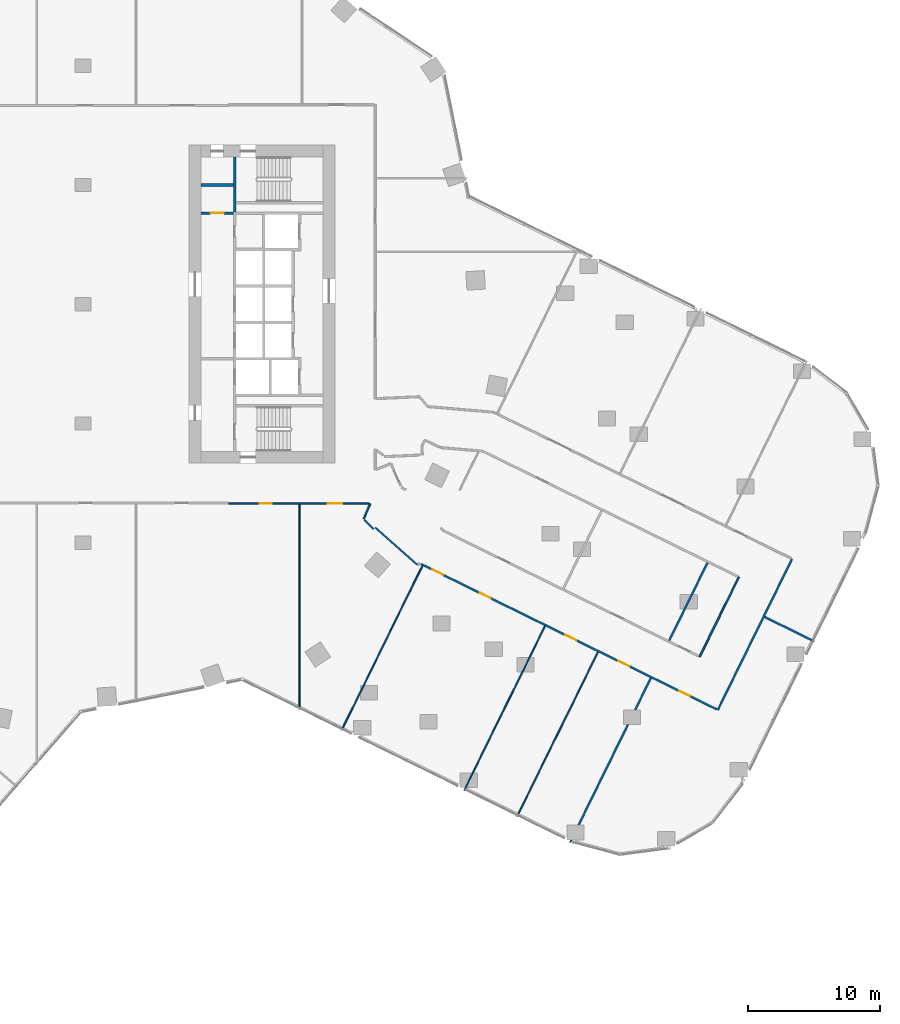
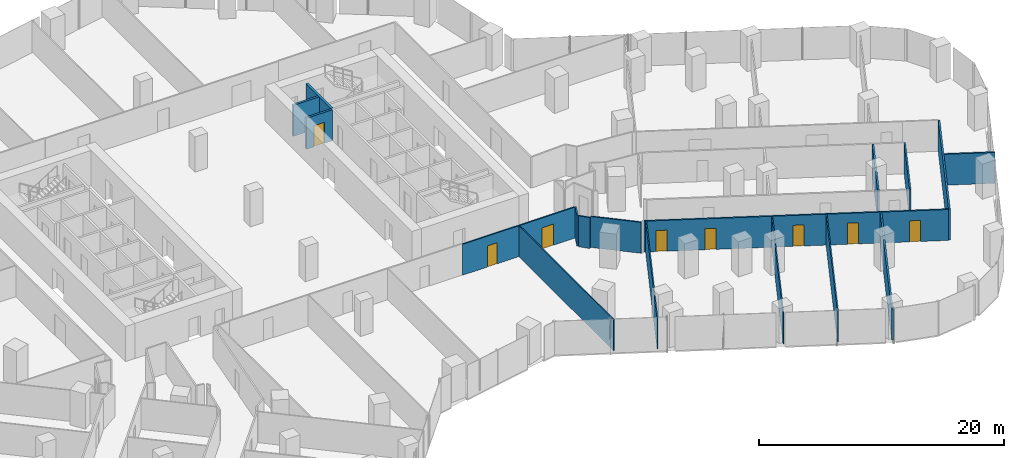
# One storey, part 29 of 38: 17 walls, 8 doors, 8 openings.
"""IFC4 building model written with IfcOpenShell, lengths in metres."""

import ifcopenshell
import ifcopenshell.guid

model = None  # the IFC model being written
_history = None  # IfcOwnerHistory: only IFC2X3 demands one
_inside = {}  # id of a spatial element -> (the spatial element, [elements in it])
_under = {}  # id of a project, library or spatial element -> (it, [spatial elements below it])
_declared = {}  # id of a project -> (the project, [libraries it declares])
_typed = {}  # id of a type object -> (the type object, [elements of that type])
_made_of = {}  # id of a material, layer set ... -> (it, [elements and type objects made of it])


def new_model(schema):
    """Start an empty IFC model of exactly this schema.

    Asked for "IFC4X3", IfcOpenShell would pick the latest addendum, in which some entities
    have other attributes; the version numbers below select the first issue.
    IFC2X3 requires an IfcOwnerHistory on every rooted entity: one is made here for all.
    """
    global model, _history
    if schema == "IFC4X3":
        model = ifcopenshell.file(schema_version=(4, 3, 0, 0))
    else:
        model = ifcopenshell.file(schema=schema)
    _inside.clear()
    _under.clear()
    _declared.clear()
    _typed.clear()
    _made_of.clear()
    _history = None
    if model.schema == "IFC2X3":
        org = make("IfcOrganization", Name="unknown")
        user = make(
            "IfcPersonAndOrganization",
            ThePerson=make("IfcPerson", FamilyName="unknown"),
            TheOrganization=org,
        )
        app = make(
            "IfcApplication",
            ApplicationDeveloper=org,
            Version="unknown",
            ApplicationFullName="unknown",
            ApplicationIdentifier="unknown",
        )
        _history = make(
            "IfcOwnerHistory",
            OwningUser=user,
            OwningApplication=app,
            ChangeAction="ADDED",
            CreationDate=0,
        )
    return model


def make(cls, **values):
    """One entity of the class cls with the attributes given. An attribute that is None is left unset."""
    return model.create_entity(
        cls, **{name: value for name, value in values.items() if value is not None}
    )


def rooted(cls, **values):
    """An entity with a GlobalId (a new one), such as an element, a storey or a relation."""
    return make(cls, GlobalId=ifcopenshell.guid.new(), OwnerHistory=_history, **values)


def si_unit(unit_type, name, prefix=None):
    """IfcSIUnit, for example si_unit("LENGTHUNIT", "METRE", prefix="MILLI")."""
    return make("IfcSIUnit", UnitType=unit_type, Prefix=prefix, Name=name)


def assignment(units):
    """IfcUnitAssignment: the units of a project."""
    return None if units is None else make("IfcUnitAssignment", Units=units)


def point(xyz):
    """IfcCartesianPoint."""
    return None if xyz is None else make("IfcCartesianPoint", Coordinates=xyz)


def direction(xyz):
    """IfcDirection."""
    return None if xyz is None else make("IfcDirection", DirectionRatios=xyz)


def frame(location, z_axis=None, x_axis=None):
    """IfcAxis2Placement3D, a coordinate frame: its origin and axes. An axis left out is left unset."""
    return make(
        "IfcAxis2Placement3D",
        Location=point(location),
        Axis=direction(z_axis),
        RefDirection=direction(x_axis),
    )


def frame_2d(location, x_axis=None):
    """IfcAxis2Placement2D, a coordinate frame in the plane: its origin and x axis."""
    return make(
        "IfcAxis2Placement2D", Location=point(location), RefDirection=direction(x_axis)
    )


def origin():
    """The frame at (0, 0, 0) with its axes left unset."""
    return frame((0.0, 0.0, 0.0))


def place(relative_to, where):
    """IfcLocalPlacement: puts the frame where relative to a parent placement (None: the world)."""
    return make(
        "IfcLocalPlacement", PlacementRelTo=relative_to, RelativePlacement=where
    )


def context(
    kind, dimensions, precision=None, world=None, true_north=None, identifier=None
):
    """IfcGeometricRepresentationContext, for example the 3D "Model" context."""
    return make(
        "IfcGeometricRepresentationContext",
        ContextIdentifier=identifier,
        ContextType=kind,
        CoordinateSpaceDimension=dimensions,
        Precision=precision,
        WorldCoordinateSystem=world,
        TrueNorth=true_north,
    )


def subcontext(parent, identifier, kind, view, scale=None):
    """IfcGeometricRepresentationSubContext, for example "Body" below "Model"."""
    return make(
        "IfcGeometricRepresentationSubContext",
        ContextIdentifier=identifier,
        ContextType=kind,
        ParentContext=parent,
        TargetScale=scale,
        TargetView=view,
    )


def project(units=None, contexts=None):
    """IfcProject with its units and contexts."""
    return rooted(
        "IfcProject",
        Name="project",
        RepresentationContexts=contexts,
        UnitsInContext=assignment(units),
    )


def spatial(cls, under=None, at=None, **own):
    """A site, building, storey or space (cls), placed at a placement, below another one or the project."""
    s = rooted(cls, ObjectPlacement=at, **own)
    if under is not None:
        _under.setdefault(under.id(), (under, []))[1].append(s)
    return s


def profile(cls, at=None, kind="AREA", **sizes):
    """A parametric profile (cls). Its sizes go by their IFC names, for example OverallWidth=200.0."""
    return make(cls, ProfileType=kind, Position=at, **sizes)


def rectangle(**sizes):
    """IfcRectangleProfileDef."""
    return profile("IfcRectangleProfileDef", **sizes)


def extrude(swept, where, along, depth):
    """IfcExtrudedAreaSolid: the profile swept, set in the frame where, extruded along a direction by depth."""
    return make(
        "IfcExtrudedAreaSolid",
        SweptArea=swept,
        Position=where,
        ExtrudedDirection=direction(along),
        Depth=depth,
    )


def shape(context_of_items, identifier, shape_type, items):
    """IfcShapeRepresentation: the items that make up one representation, for example the "Body"."""
    return make(
        "IfcShapeRepresentation",
        ContextOfItems=context_of_items,
        RepresentationIdentifier=identifier,
        RepresentationType=shape_type,
        Items=items,
    )


def material(Name=None, Category=None):
    """IfcMaterial."""
    return make("IfcMaterial", Name=Name, Category=Category)


def layer(
    of_material, thickness, ventilated=None, Name=None, Category=None, Priority=None
):
    """IfcMaterialLayer: one layer of a wall or slab, of a material (None: an air gap)."""
    return make(
        "IfcMaterialLayer",
        Material=of_material,
        LayerThickness=thickness,
        IsVentilated=ventilated,
        Name=Name,
        Category=Category,
        Priority=Priority,
    )


def layer_set(layers, Name=None):
    """IfcMaterialLayerSet."""
    return make("IfcMaterialLayerSet", MaterialLayers=layers, LayerSetName=Name)


def made_of(thing, what):
    """Note that an element or type object is made of a material, layer set ...; save() writes the relation."""
    if what is not None:
        _made_of.setdefault(what.id(), (what, []))[1].append(thing)
    return thing


def type_object(cls, material=None, **own):
    """A type object (cls), such as IfcWallType, which elements share."""
    return made_of(rooted(cls, **own), material)


def element(
    cls,
    number,
    at=None,
    inside=None,
    cuts=None,
    type_object=None,
    material=None,
    context=None,
    identifier="Body",
    shape_type=None,
    held_by="IfcProductDefinitionShape",
    body=None,
    shapes=None,
    **own,
):
    """One element of the class cls, such as IfcWall. Its Tag is "e" and its number.

    at: its placement. inside: the storey or other place that contains it. cuts: it is an
    opening in that element (IfcRelVoidsElement). A single representation is given by context,
    identifier, shape_type and body (its items); several are given by shapes. held_by: the class
    of the entity that holds the representations. save() writes the other relations.
    """
    e = rooted(cls, Tag="e%d" % number, ObjectPlacement=at, **own)
    if body is not None:
        shapes = [shape(context, identifier, shape_type, body)]
    if shapes is not None:
        e.Representation = make(held_by, Representations=shapes)
    if inside is not None:
        _inside.setdefault(inside.id(), (inside, []))[1].append(e)
    if cuts is not None:
        rooted(
            "IfcRelVoidsElement", RelatingBuildingElement=cuts, RelatedOpeningElement=e
        )
    if type_object is not None:
        _typed.setdefault(type_object.id(), (type_object, []))[1].append(e)
    return made_of(e, material)


def fill(opening, filler):
    """IfcRelFillsElement: the door or window that sits in an opening."""
    return rooted(
        "IfcRelFillsElement",
        RelatingOpeningElement=opening,
        RelatedBuildingElement=filler,
    )


def aggregate(whole, parts):
    """IfcRelAggregates: a whole, such as a stair, and the parts it consists of."""
    return rooted("IfcRelAggregates", RelatingObject=whole, RelatedObjects=parts)


def save(model, path):
    """Write the relations noted so far, then the file.

    IfcRelAggregates (storeys below a building ...), IfcRelContainedInSpatialStructure (elements
    in a storey), IfcRelDefinesByType, IfcRelAssociatesMaterial and IfcRelDeclares: one each for
    every whole, place, type object, material and project.
    """
    for whole, parts in _under.values():
        aggregate(whole, parts)
    for where, things in _inside.values():
        rooted(
            "IfcRelContainedInSpatialStructure",
            RelatedElements=things,
            RelatingStructure=where,
        )
    for kind, things in _typed.values():
        rooted("IfcRelDefinesByType", RelatedObjects=things, RelatingType=kind)
    for what, things in _made_of.values():
        rooted("IfcRelAssociatesMaterial", RelatedObjects=things, RelatingMaterial=what)
    for by, libraries in _declared.values():
        rooted("IfcRelDeclares", RelatingContext=by, RelatedDefinitions=libraries)
    model.write(path)


model = new_model("IFC4")

# Units and contexts
model_context = context("Model", 3, precision=1e-05, world=origin(), true_north=direction((0.0, 1.0)))
body_context = subcontext(model_context, "Body", "Model", "MODEL_VIEW")
ifc_project = project(units=[si_unit("LENGTHUNIT", "METRE"), si_unit("AREAUNIT", "SQUARE_METRE"), si_unit("VOLUMEUNIT", "CUBIC_METRE"), si_unit("PLANEANGLEUNIT", "RADIAN"), si_unit("MASSUNIT", "GRAM", prefix="KILO")], contexts=[model_context])

# Site, building, storey
site_placement = place(None, origin())
site = spatial("IfcSite", under=ifc_project, at=site_placement, CompositionType="ELEMENT")
building_placement = place(site_placement, origin())
building = spatial("IfcBuilding", under=site, at=building_placement, Name="Orlundy Tower", CompositionType="ELEMENT")
storey_placement = place(building_placement, frame((0.0, 0.0, 65.800048828125)))
storey = spatial("IfcBuildingStorey", under=building, at=storey_placement, Name="L15", CompositionType="ELEMENT", Elevation=65.800048828125)

# Walls
ifc_material_1 = material(Name="Gypsum board partition")
ifc_layer_1 = layer(ifc_material_1, 0.10009765625)
ifc_layer_set_1 = layer_set([ifc_layer_1], Name="Floor partition 100")
wall_type_1 = type_object("IfcWallType", Name="Floor partition 100", PredefinedType="PARTITIONING", material=ifc_layer_set_1)
for number, where, z_axis, x_axis, name in (
    (1, (32.760009765625, -38.657958984375, 0.0), (0.0, 0.0, 1.0), (0.440979010965, 0.897517415925, 0.0), "wall-int-L15-070"),
    (2, (28.76611328125, -36.695068359375, 0.0), (0.0, 0.0, 1.0), (0.440979010965, 0.897517415925, 0.0), "wall-int-L15-071"),
):
    element("IfcWall", number, at=place(storey_placement, frame(where, z_axis=z_axis, x_axis=x_axis)), inside=storey, type_object=wall_type_1, Name=name, PredefinedType="PARTITIONING", context=body_context, shape_type="SweptSolid", body=[
        extrude(rectangle(XDim=13.82373046875, YDim=0.10009765625, at=frame_2d((6.911865234375, 0.0))), origin(), (0.0, 0.0, 1.0), 3.079833984375),
    ])
wall_1_placement = place(storey_placement, frame((19.51611328125, -32.15087890625, 0.0), z_axis=(0.0, 0.0, 1.0), x_axis=(0.44089414512, 0.897559108248, 0.0)))
element("IfcWall", 3, at=wall_1_placement, inside=storey, type_object=wall_type_1, Name="wall-int-L15-074", PredefinedType="PARTITIONING", context=body_context, shape_type="SweptSolid", body=[
    extrude(rectangle(XDim=13.82421875, YDim=0.10009765625, at=frame_2d((6.912109375, 0.0))), origin(), (0.0, 0.0, 1.0), 3.079833984375),
])
wall_2_placement = place(storey_placement, frame((16.3310546875, -30.5859375, 0.0), z_axis=(0.0, 0.0, 1.0), x_axis=(0.0, 1.0, 0.0)))
element("IfcWall", 4, at=wall_2_placement, inside=storey, type_object=wall_type_1, Name="wall-int-L15-089", PredefinedType="PARTITIONING", context=body_context, shape_type="SweptSolid", body=[
    extrude(rectangle(XDim=15.471923828125, YDim=0.10009765625, at=frame_2d((7.73583984375, 0.0))), origin(), (0.0, 0.0, 1.0), 3.079833984375),
])
ifc_material_2 = material(Name="Gypsum board partition, double layer")
ifc_layer_2 = layer(ifc_material_2, 0.125)
ifc_layer_set_2 = layer_set([ifc_layer_2], Name="Floor partition 125")
wall_type_2 = type_object("IfcWallType", Name="Floor partition 125", PredefinedType="PARTITIONING", material=ifc_layer_set_2)
wall_3_placement = place(storey_placement, frame((21.243896484375, -16.282958984375, 0.0), z_axis=(0.0, 0.0, 1.0), x_axis=(0.697348059019, -0.716732645121, 0.0)))
element("IfcWall", 5, at=wall_3_placement, inside=storey, type_object=wall_type_2, Name="wall-int-L15-006", PredefinedType="PARTITIONING", context=body_context, shape_type="SweptSolid", body=[
    extrude(rectangle(XDim=0.982421875, YDim=0.125, at=frame_2d((0.4912109375, 0.0))), origin(), (0.0, 0.0, 1.0), 3.079833984375),
])
wall_4_placement = place(storey_placement, frame((22.048095703125, -16.85400390625, 0.0), z_axis=(0.0, 0.0, 1.0), x_axis=(0.748412780797, -0.663233224092, 0.0)))
element("IfcWall", 6, at=wall_4_placement, inside=storey, type_object=wall_type_2, Name="wall-int-L15-007", PredefinedType="PARTITIONING", context=body_context, shape_type="SweptSolid", body=[
    extrude(rectangle(XDim=4.224853515625, YDim=0.125, at=frame_2d((2.1123046875, 0.0))), origin(), (0.0, 0.0, 1.0), 3.079833984375),
])

# Wall, openings, doors
wall_5_placement = place(storey_placement, frame((21.575927734375, -15.051025390625, 0.0), z_axis=(0.0, 0.0, 1.0), x_axis=(-1.0, 0.0, 0.0)))
wall_5 = element("IfcWall", 7, at=wall_5_placement, inside=storey, type_object=wall_type_2, Name="wall-int-L15-043", PredefinedType="PARTITIONING", context=body_context, shape_type="SweptSolid", body=[
    extrude(rectangle(XDim=10.5849609375, YDim=0.125, at=frame_2d((5.29248046875, 0.0))), origin(), (0.0, 0.0, 1.0), 3.079833984375),
])
opening_1_placement = place(wall_5_placement, frame((7.3447265625, 0.0, 0.0)))
opening_1 = element("IfcOpeningElement", 8, at=opening_1_placement, cuts=wall_5, Name="Opening 13130", PredefinedType="OPENING", context=body_context, shape_type="SweptSolid", body=[
    extrude(rectangle(XDim=0.89990234375, YDim=2.10009765625, at=frame_2d((0.449951171875, 1.050048828125))), frame((0.0, 0.072509765625, 0.0), z_axis=(0.0, -1.0, 0.0), x_axis=(1.0, 0.0, 0.0)), (0.0, 0.0, 1.0), 0.14501953125),
])
opening_2_placement = place(wall_5_placement, frame((2.005859375, 0.0, 0.0)))
opening_2 = element("IfcOpeningElement", 9, at=opening_2_placement, cuts=wall_5, Name="Opening 13131", PredefinedType="OPENING", context=body_context, shape_type="SweptSolid", body=[
    extrude(rectangle(XDim=1.10009765625, YDim=2.10009765625, at=frame_2d((0.550048828125, 1.050048828125))), frame((0.0, 0.072509765625, 0.0), z_axis=(0.0, -1.0, 0.0), x_axis=(1.0, 0.0, 0.0)), (0.0, 0.0, 1.0), 0.14501953125),
])
ifc_material_3 = material(Name="Timber door leaf", Category="wood")
door_type_1 = type_object("IfcDoorType", Name="Floor door single 900 FD30S", OperationType="NOTDEFINED", PredefinedType="DOOR", material=ifc_material_3)
door_1_placement = place(opening_1_placement, origin())
door_1 = element("IfcDoor", 10, at=door_1_placement, inside=storey, type_object=door_type_1, Name="Door 13130", OperationType="SINGLE_SWING_RIGHT", OverallHeight=2.10009765625, OverallWidth=0.89990234375, PredefinedType="DOOR", context=body_context, shape_type="SweptSolid", body=[
    extrude(rectangle(XDim=0.89990234375, YDim=2.10009765625, at=frame_2d((0.449951171875, 1.050048828125))), frame((0.0, 0.02490234375, 0.0), z_axis=(0.0, -1.0, 0.0), x_axis=(1.0, 0.0, 0.0)), (0.0, 0.0, 1.0), 0.050048828125),
])
fill(opening_1, door_1)
ifc_material_4 = material(Name="Timber door leaf", Category="wood")
door_type_2 = type_object("IfcDoorType", Name="Floor door xwide 1100 FD30S", OperationType="NOTDEFINED", PredefinedType="DOOR", material=ifc_material_4)
door_2_placement = place(opening_2_placement, origin())
door_2 = element("IfcDoor", 11, at=door_2_placement, inside=storey, type_object=door_type_2, Name="Door 13131", OperationType="SINGLE_SWING_LEFT", OverallHeight=2.10009765625, OverallWidth=1.10009765625, PredefinedType="DOOR", context=body_context, shape_type="SweptSolid", body=[
    extrude(rectangle(XDim=1.10009765625, YDim=2.10009765625, at=frame_2d((0.550048828125, 1.050048828125))), frame((0.0, 0.02490234375, 0.0), z_axis=(0.0, -1.0, 0.0), x_axis=(1.0, 0.0, 0.0)), (0.0, 0.0, 1.0), 0.050048828125),
])
fill(opening_2, door_2)

# Walls
wall_6_placement = place(storey_placement, frame((46.5390625, -26.59912109375, 0.0), z_axis=(0.0, 0.0, 1.0), x_axis=(0.441022842823, 0.897495878603, 0.0)))
element("IfcWall", 12, at=wall_6_placement, inside=storey, type_object=wall_type_2, Name="wall-int-L15-066", PredefinedType="PARTITIONING", context=body_context, shape_type="SweptSolid", body=[
    extrude(rectangle(XDim=6.699951171875, YDim=0.125, at=frame_2d((3.35009765625, 0.0))), origin(), (0.0, 0.0, 1.0), 3.079833984375),
])
wall_7_placement = place(storey_placement, frame((21.18505859375, -16.2060546875, 0.0), z_axis=(0.0, 0.0, 1.0), x_axis=(0.388601478259, 0.921405931767, 0.0)))
element("IfcWall", 13, at=wall_7_placement, inside=storey, type_object=wall_type_2, Name="wall-int-L15-079", PredefinedType="PARTITIONING", context=body_context, shape_type="SweptSolid", body=[
    extrude(rectangle(XDim=1.24267578125, YDim=0.125, at=frame_2d((0.621337890625, 0.0))), origin(), (0.0, 0.0, 1.0), 3.079833984375),
])

# Wall, openings, doors
ifc_material_5 = material(Name="Blockwork shaft wall", Category="masonry")
ifc_layer_3 = layer(ifc_material_5, 0.14990234375)
ifc_layer_set_3 = layer_set([ifc_layer_3], Name="Floor shaft wall 150")
wall_type_3 = type_object("IfcWallType", Name="Floor shaft wall 150", PredefinedType="PARTITIONING", material=ifc_layer_set_3)
wall_8_placement = place(storey_placement, frame((47.840087890625, -30.5830078125, 0.0), z_axis=(0.0, 0.0, 1.0), x_axis=(-0.897499432015, 0.441015611439, 0.0)))
wall_8 = element("IfcWall", 14, at=wall_8_placement, inside=storey, type_object=wall_type_3, Name="wall-int-L15-024", PredefinedType="PARTITIONING", context=body_context, shape_type="SweptSolid", body=[
    extrude(rectangle(XDim=24.890380859375, YDim=0.14990234375, at=frame_2d((12.4453125, 0.0))), origin(), (0.0, 0.0, 1.0), 3.079833984375),
])
opening_3_placement = place(wall_8_placement, frame((2.2744140625, 0.0, 0.0)))
opening_3 = element("IfcOpeningElement", 15, at=opening_3_placement, cuts=wall_8, Name="Opening 13107", PredefinedType="OPENING", context=body_context, shape_type="SweptSolid", body=[
    extrude(rectangle(XDim=0.89990234375, YDim=2.10009765625, at=frame_2d((0.449951171875, 1.050048828125))), frame((0.0, 0.0849609375, 0.0), z_axis=(0.0, -1.0, 0.0), x_axis=(1.0, 0.0, 0.0)), (0.0, 0.0, 1.0), 0.169921875),
])
opening_4_placement = place(wall_8_placement, frame((23.024169921875, 0.0, 0.0)))
opening_4 = element("IfcOpeningElement", 16, at=opening_4_placement, cuts=wall_8, Name="Opening 13108", PredefinedType="OPENING", context=body_context, shape_type="SweptSolid", body=[
    extrude(rectangle(XDim=0.89990234375, YDim=2.10009765625, at=frame_2d((0.449951171875, 1.050048828125))), frame((0.0, 0.0849609375, 0.0), z_axis=(0.0, -1.0, 0.0), x_axis=(1.0, 0.0, 0.0)), (0.0, 0.0, 1.0), 0.169921875),
])
opening_5_placement = place(wall_8_placement, frame((19.024169921875, 0.0, 0.0)))
opening_5 = element("IfcOpeningElement", 17, at=opening_5_placement, cuts=wall_8, Name="Opening 13109", PredefinedType="OPENING", context=body_context, shape_type="SweptSolid", body=[
    extrude(rectangle(XDim=0.89990234375, YDim=2.10009765625, at=frame_2d((0.449951171875, 1.050048828125))), frame((0.0, 0.0849609375, 0.0), z_axis=(0.0, -1.0, 0.0), x_axis=(1.0, 0.0, 0.0)), (0.0, 0.0, 1.0), 0.169921875),
])
opening_6_placement = place(wall_8_placement, frame((11.823974609375, 0.0, 0.0)))
opening_6 = element("IfcOpeningElement", 18, at=opening_6_placement, cuts=wall_8, Name="Opening 13110", PredefinedType="OPENING", context=body_context, shape_type="SweptSolid", body=[
    extrude(rectangle(XDim=0.89990234375, YDim=2.10009765625, at=frame_2d((0.449951171875, 1.050048828125))), frame((0.0, 0.0849609375, 0.0), z_axis=(0.0, -1.0, 0.0), x_axis=(1.0, 0.0, 0.0)), (0.0, 0.0, 1.0), 0.169921875),
])
opening_7_placement = place(wall_8_placement, frame((7.3740234375, 0.0, 0.0)))
opening_7 = element("IfcOpeningElement", 19, at=opening_7_placement, cuts=wall_8, Name="Opening 13111", PredefinedType="OPENING", context=body_context, shape_type="SweptSolid", body=[
    extrude(rectangle(XDim=0.89990234375, YDim=2.10009765625, at=frame_2d((0.449951171875, 1.050048828125))), frame((0.0, 0.0849609375, 0.0), z_axis=(0.0, -1.0, 0.0), x_axis=(1.0, 0.0, 0.0)), (0.0, 0.0, 1.0), 0.169921875),
])
ifc_material_6 = material(Name="Timber door leaf", Category="wood")
door_type_3 = type_object("IfcDoorType", Name="Floor door single 900 FD60", OperationType="NOTDEFINED", PredefinedType="DOOR", material=ifc_material_6)
door_3_placement = place(opening_3_placement, origin())
door_3 = element("IfcDoor", 20, at=door_3_placement, inside=storey, type_object=door_type_3, Name="Door 13107", OperationType="SINGLE_SWING_LEFT", OverallHeight=2.10009765625, OverallWidth=0.89990234375, PredefinedType="DOOR", context=body_context, shape_type="SweptSolid", body=[
    extrude(rectangle(XDim=0.89990234375, YDim=2.10009765625, at=frame_2d((0.449951171875, 1.050048828125))), frame((0.0, 0.02490234375, 0.0), z_axis=(0.0, -1.0, 0.0), x_axis=(1.0, 0.0, 0.0)), (0.0, 0.0, 1.0), 0.050048828125),
])
fill(opening_3, door_3)
door_4_placement = place(opening_4_placement, origin())
door_4 = element("IfcDoor", 21, at=door_4_placement, inside=storey, type_object=door_type_3, Name="Door 13108", OperationType="SINGLE_SWING_RIGHT", OverallHeight=2.10009765625, OverallWidth=0.89990234375, PredefinedType="DOOR", context=body_context, shape_type="SweptSolid", body=[
    extrude(rectangle(XDim=0.89990234375, YDim=2.10009765625, at=frame_2d((0.449951171875, 1.050048828125))), frame((0.0, 0.02490234375, 0.0), z_axis=(0.0, -1.0, 0.0), x_axis=(1.0, 0.0, 0.0)), (0.0, 0.0, 1.0), 0.050048828125),
])
fill(opening_4, door_4)
door_5_placement = place(opening_5_placement, origin())
door_5 = element("IfcDoor", 22, at=door_5_placement, inside=storey, type_object=door_type_3, Name="Door 13109", OperationType="SINGLE_SWING_RIGHT", OverallHeight=2.10009765625, OverallWidth=0.89990234375, PredefinedType="DOOR", context=body_context, shape_type="SweptSolid", body=[
    extrude(rectangle(XDim=0.89990234375, YDim=2.10009765625, at=frame_2d((0.449951171875, 1.050048828125))), frame((0.0, 0.02490234375, 0.0), z_axis=(0.0, -1.0, 0.0), x_axis=(1.0, 0.0, 0.0)), (0.0, 0.0, 1.0), 0.050048828125),
])
fill(opening_5, door_5)
door_6_placement = place(opening_6_placement, origin())
door_6 = element("IfcDoor", 23, at=door_6_placement, inside=storey, type_object=door_type_3, Name="Door 13110", OperationType="SINGLE_SWING_LEFT", OverallHeight=2.10009765625, OverallWidth=0.89990234375, PredefinedType="DOOR", context=body_context, shape_type="SweptSolid", body=[
    extrude(rectangle(XDim=0.89990234375, YDim=2.10009765625, at=frame_2d((0.449951171875, 1.050048828125))), frame((0.0, 0.02490234375, 0.0), z_axis=(0.0, -1.0, 0.0), x_axis=(1.0, 0.0, 0.0)), (0.0, 0.0, 1.0), 0.050048828125),
])
fill(opening_6, door_6)
door_7_placement = place(opening_7_placement, origin())
door_7 = element("IfcDoor", 24, at=door_7_placement, inside=storey, type_object=door_type_3, Name="Door 13111", OperationType="SINGLE_SWING_LEFT", OverallHeight=2.10009765625, OverallWidth=0.89990234375, PredefinedType="DOOR", context=body_context, shape_type="SweptSolid", body=[
    extrude(rectangle(XDim=0.89990234375, YDim=2.10009765625, at=frame_2d((0.449951171875, 1.050048828125))), frame((0.0, 0.02490234375, 0.0), z_axis=(0.0, -1.0, 0.0), x_axis=(1.0, 0.0, 0.0)), (0.0, 0.0, 1.0), 0.050048828125),
])
fill(opening_7, door_7)

# Walls
wall_9_placement = place(storey_placement, frame((51.43798828125, -23.60302734375, 0.0), z_axis=(0.0, 0.0, 1.0), x_axis=(0.897516565628, -0.440980741556, 0.0)))
element("IfcWall", 25, at=wall_9_placement, inside=storey, type_object=wall_type_3, Name="wall-int-L15-026", PredefinedType="PARTITIONING", context=body_context, shape_type="SweptSolid", body=[
    extrude(rectangle(XDim=4.175048828125, YDim=0.14990234375, at=frame_2d((2.08740234375, 0.0))), origin(), (0.0, 0.0, 1.0), 3.079833984375),
])
wall_10_placement = place(storey_placement, frame((47.909912109375, -30.614990234375, 0.0), z_axis=(0.0, 0.0, 1.0), x_axis=(0.441070796209, 0.897472313072, 0.0)))
element("IfcWall", 26, at=wall_10_placement, inside=storey, type_object=wall_type_3, Name="wall-int-L15-065", PredefinedType="PARTITIONING", context=body_context, shape_type="SweptSolid", body=[
    extrude(rectangle(XDim=12.692138671875, YDim=0.14990234375, at=frame_2d((6.34619140625, 0.0))), origin(), (0.0, 0.0, 1.0), 3.079833984375),
])
wall_11_placement = place(storey_placement, frame((36.75390625, -40.6201171875, 0.0), z_axis=(0.0, 0.0, 1.0), x_axis=(0.44098624742, 0.897513860387, 0.0)))
element("IfcWall", 27, at=wall_11_placement, inside=storey, type_object=wall_type_3, Name="wall-int-L15-067", PredefinedType="PARTITIONING", context=body_context, shape_type="SweptSolid", body=[
    extrude(rectangle(XDim=13.823974609375, YDim=0.14990234375, at=frame_2d((6.912109375, 0.0))), origin(), (0.0, 0.0, 1.0), 3.079833984375),
])
wall_12_placement = place(storey_placement, frame((44.239013671875, -25.385986328125, 0.0), z_axis=(0.0, 0.0, 1.0), x_axis=(0.44103082672, 0.89749195533, 0.0)))
element("IfcWall", 28, at=wall_12_placement, inside=storey, type_object=wall_type_3, Name="wall-int-L15-068", PredefinedType="PARTITIONING", context=body_context, shape_type="SweptSolid", body=[
    extrude(rectangle(XDim=6.55029296875, YDim=0.14990234375, at=frame_2d((3.275146484375, 0.0))), origin(), (0.0, 0.0, 1.0), 3.079833984375),
])
ifc_material_7 = material(Name="Concrete C40/50", Category="concrete")
ifc_layer_4 = layer(ifc_material_7, 0.199951171875)
ifc_layer_set_4 = layer_set([ifc_layer_4], Name="Load-bearing Shaft Wall 200")
wall_type_4 = type_object("IfcWallType", Name="Load-bearing Shaft Wall 200", PredefinedType="SOLIDWALL", material=ifc_layer_set_4)
wall_13_placement = place(storey_placement, frame((11.43994140625, 11.10009765625, 0.0), z_axis=(0.0, 0.0, 1.0), x_axis=(0.0, -1.0, 0.0)))
element("IfcWall", 29, at=wall_13_placement, inside=storey, type_object=wall_type_4, Name="Shaft wall E13-stair-end-s", PredefinedType="SOLIDWALL", context=body_context, shape_type="SweptSolid", body=[
    extrude(rectangle(XDim=4.125, YDim=0.199951171875, at=frame_2d((2.0625, 0.0))), origin(), (0.0, 0.0, 1.0), 3.08984375),
])

# Wall, opening, door
ifc_material_8 = material(Name="Gypsum board partition on steel studs", Category="steel")
ifc_layer_5 = layer(ifc_material_8, 0.199951171875)
ifc_layer_set_5 = layer_set([ifc_layer_5], Name="Partition 200")
wall_type_5 = type_object("IfcWallType", Name="Partition 200", PredefinedType="PARTITIONING", material=ifc_layer_set_5)
wall_14_placement = place(storey_placement, frame((8.89990234375, 6.875, 0.0), z_axis=(0.0, 0.0, 1.0), x_axis=(1.0, 0.0, 0.0)))
wall_14 = element("IfcWall", 30, at=wall_14_placement, inside=storey, type_object=wall_type_5, Name="Partition wall E13-end-s", PredefinedType="PARTITIONING", context=body_context, shape_type="SweptSolid", body=[
    extrude(rectangle(XDim=2.440185546875, YDim=0.199951171875, at=frame_2d((1.22021484375, 0.0))), origin(), (0.0, 0.0, 1.0), 3.08984375),
])
opening_8_placement = place(wall_14_placement, frame((0.719970703125, 0.0, 0.0)))
opening_8 = element("IfcOpeningElement", 31, at=opening_8_placement, cuts=wall_14, Name="Opening 13065", PredefinedType="OPENING", context=body_context, shape_type="SweptSolid", body=[
    extrude(rectangle(XDim=1.0, YDim=2.10009765625, at=frame_2d((0.5, 1.050048828125))), frame((0.0, 0.110107421875, 0.0), z_axis=(0.0, -1.0, 0.0), x_axis=(1.0, 0.0, 0.0)), (0.0, 0.0, 1.0), 0.22021484375),
])
ifc_material_9 = material(Name="Timber door set", Category="wood")
door_type_4 = type_object("IfcDoorType", Name="Accessible Door 1000x2100", OperationType="SINGLE_SWING_LEFT", PredefinedType="DOOR", material=ifc_material_9)
door_8_placement = place(opening_8_placement, origin())
door_8 = element("IfcDoor", 32, at=door_8_placement, inside=storey, type_object=door_type_4, Name="Accessible WC door 13065", OperationType="SINGLE_SWING_RIGHT", OverallHeight=2.10009765625, OverallWidth=1.0, PredefinedType="DOOR", context=body_context, shape_type="SweptSolid", body=[
    extrude(rectangle(XDim=1.0, YDim=2.10009765625, at=frame_2d((0.5, 1.050048828125))), frame((0.0, 0.02490234375, 0.0), z_axis=(0.0, -1.0, 0.0), x_axis=(1.0, 0.0, 0.0)), (0.0, 0.0, 1.0), 0.050048828125),
])
fill(opening_8, door_8)

# Wall
wall_15_placement = place(storey_placement, frame((8.89990234375, 9.0, 0.0), z_axis=(0.0, 0.0, 1.0), x_axis=(1.0, 0.0, 0.0)))
element("IfcWall", 33, at=wall_15_placement, inside=storey, type_object=wall_type_5, Name="Partition wall E13-room-s0", PredefinedType="PARTITIONING", context=body_context, shape_type="SweptSolid", body=[
    extrude(rectangle(XDim=2.440185546875, YDim=0.199951171875, at=frame_2d((1.22021484375, 0.0))), origin(), (0.0, 0.0, 1.0), 3.08984375),
])

save(model, "model.ifc")
